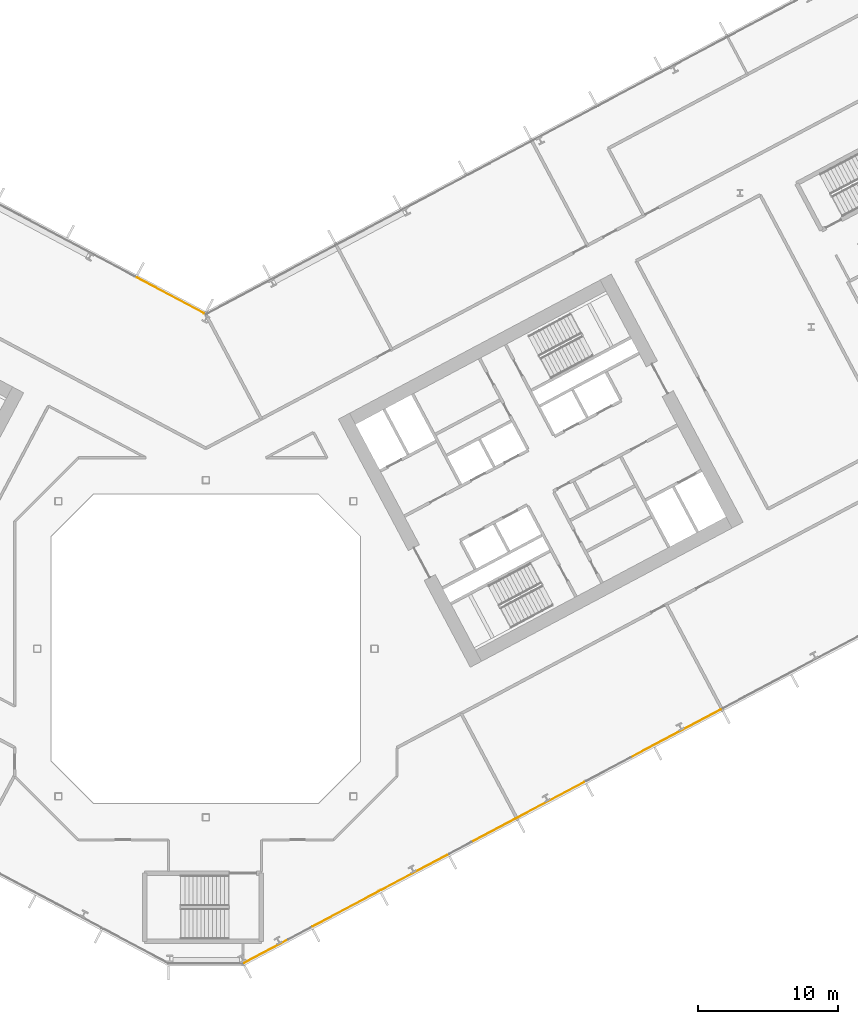
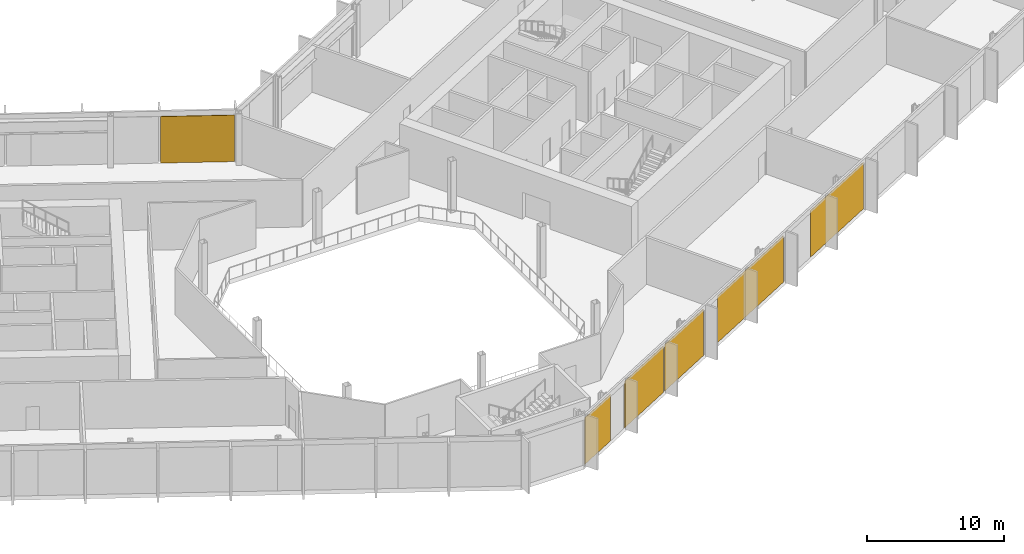
# One storey, part 26 of 31: 6 coverings, 2 elements without a shape of their own.
"""IFC4 building model written with IfcOpenShell, lengths in metres."""

from ifc_helpers import new_model, si_unit, direction, frame, origin, origin_2d, place, context, subcontext, project, spatial, rectangle, extrude, material, layer, layer_set, type_object, element, aggregate, save


model = new_model("IFC4")

# Units and contexts
model_context = context("Model", 3, precision=1e-05, world=origin(), true_north=direction((0.0, 1.0)))
body_context = subcontext(model_context, "Body", "Model", "MODEL_VIEW")
ifc_project = project(units=[si_unit("LENGTHUNIT", "METRE"), si_unit("AREAUNIT", "SQUARE_METRE"), si_unit("VOLUMEUNIT", "CUBIC_METRE"), si_unit("PLANEANGLEUNIT", "RADIAN"), si_unit("MASSUNIT", "GRAM", prefix="KILO")], contexts=[model_context])

# Site, building, storey
site_placement = place(None, origin())
site = spatial("IfcSite", under=ifc_project, at=site_placement, CompositionType="ELEMENT")
building_placement = place(site_placement, origin())
building = spatial("IfcBuilding", under=site, at=building_placement, Name="Cormorant Relay Tower", CompositionType="ELEMENT")
storey_placement = place(building_placement, frame((0.0, 0.0, 103.0)))
storey = spatial("IfcBuildingStorey", under=building, at=storey_placement, Name="L20", CompositionType="ELEMENT", Elevation=103.0)

# Curtain wall, coverings
ifc_material_1 = material(Name="Aluminium 6063-T6 anodised bronze", Category="aluminium")
ifc_layer_1 = layer(ifc_material_1, 0.199951171875)
ifc_layer_set_1 = layer_set([ifc_layer_1], Name="CW1 unitised bronze curtain wall with vertical fins")
curtain_wall_type = type_object("IfcCurtainWallType", Name="CW1 unitised bronze curtain wall with vertical fins", PredefinedType="NOTDEFINED", material=ifc_layer_set_1)
curtain_wall_1_placement = place(storey_placement, origin())
curtain_wall_1 = element("IfcCurtainWall", 1, at=curtain_wall_1_placement, inside=storey, type_object=curtain_wall_type, Name="CW1 curtain wall 2", PredefinedType="NOTDEFINED")
ifc_material_2 = material(Name="Pale bronze anodised aluminium insulated panel", Category="aluminium")
ifc_layer_2 = layer(ifc_material_2, 0.0400390625)
ifc_layer_set_2 = layer_set([ifc_layer_2], Name="CW1 pale bronze insulated panel 40")
covering_type = type_object("IfcCoveringType", Name="CW1 pale bronze insulated panel 40", PredefinedType="CLADDING", material=ifc_layer_set_2)
covering_1_placement = place(storey_placement, frame((4.296875, -21.52197265625, 0.0), z_axis=(0.0, 0.0, 1.0), x_axis=(0.882947592859, 0.469471562786, 0.0)))
covering_1 = element("IfcCovering", 2, at=covering_1_placement, type_object=covering_type, Name="CW1 panel S00", PredefinedType="CLADDING", context=body_context, shape_type="SweptSolid", body=[
    extrude(rectangle(XDim=3.561767578125, YDim=0.0400390625, at=origin_2d()), origin(), (0.0, 0.0, 1.0), 4.14990234375),
])
covering_2_placement = place(storey_placement, frame((9.958251953125, -18.51171875, 0.0), z_axis=(0.0, 0.0, 1.0), x_axis=(0.882947592859, 0.469471562786, 0.0)))
covering_2 = element("IfcCovering", 3, at=covering_2_placement, type_object=covering_type, Name="CW1 panel S02", PredefinedType="CLADDING", context=body_context, shape_type="SweptSolid", body=[
    extrude(rectangle(XDim=5.36181640625, YDim=0.0400390625, at=origin_2d()), origin(), (0.0, 0.0, 1.0), 4.14990234375),
])
covering_3_placement = place(storey_placement, frame((14.824951171875, -15.924072265625, 0.0), z_axis=(0.0, 0.0, 1.0), x_axis=(0.882947592859, 0.469471562786, 0.0)))
covering_3 = element("IfcCovering", 4, at=covering_3_placement, type_object=covering_type, Name="CW1 panel S03", PredefinedType="CLADDING", context=body_context, shape_type="SweptSolid", body=[
    extrude(rectangle(XDim=5.36181640625, YDim=0.0400390625, at=origin_2d()), origin(), (0.0, 0.0, 1.0), 4.14990234375),
])
covering_4_placement = place(storey_placement, frame((22.919677734375, -11.6201171875, 0.0), z_axis=(0.0, 0.0, 1.0), x_axis=(0.882947592859, 0.469471562786, 0.0)))
covering_4 = element("IfcCovering", 5, at=covering_4_placement, type_object=covering_type, Name="CW1 panel S05", PredefinedType="CLADDING", context=body_context, shape_type="SweptSolid", body=[
    extrude(rectangle(XDim=9.07373046875, YDim=0.0400390625, at=origin_2d()), origin(), (0.0, 0.0, 1.0), 4.14990234375),
])
covering_5_placement = place(storey_placement, frame((33.447509765625, -6.022216796875, 0.0), z_axis=(0.0, 0.0, 1.0), x_axis=(0.882947592859, 0.469471562786, 0.0)))
covering_5 = element("IfcCovering", 6, at=covering_5_placement, type_object=covering_type, Name="CW1 panel S07", PredefinedType="CLADDING", context=body_context, shape_type="SweptSolid", body=[
    extrude(rectangle(XDim=7.273681640625, YDim=0.0400390625, at=origin_2d()), origin(), (0.0, 0.0, 1.0), 4.14990234375),
])
aggregate(curtain_wall_1, [covering_1, covering_2, covering_3, covering_4, covering_5])

# Curtain wall, covering
curtain_wall_2_placement = place(storey_placement, origin())
curtain_wall_2 = element("IfcCurtainWall", 7, at=curtain_wall_2_placement, inside=storey, type_object=curtain_wall_type, Name="CW1 curtain wall 7", PredefinedType="NOTDEFINED")
covering_6_placement = place(storey_placement, frame((-2.51318359375, 25.142822265625, 0.0), z_axis=(0.0, 0.0, 1.0), x_axis=(-0.882947592859, 0.469471562786, 0.0)))
covering_6 = element("IfcCovering", 8, at=covering_6_placement, type_object=covering_type, Name="CW1 panel S00", PredefinedType="CLADDING", context=body_context, shape_type="SweptSolid", body=[
    extrude(rectangle(XDim=5.4140625, YDim=0.0400390625, at=origin_2d()), origin(), (0.0, 0.0, 1.0), 4.14990234375),
])
aggregate(curtain_wall_2, [covering_6])

save(model, "model.ifc")
